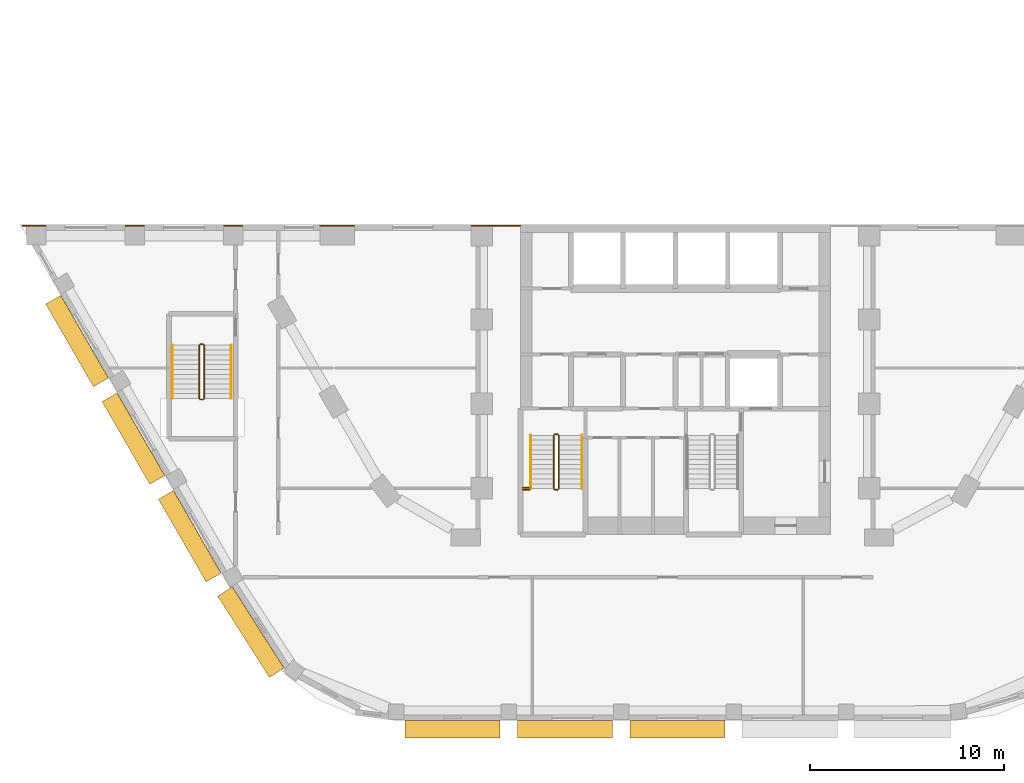
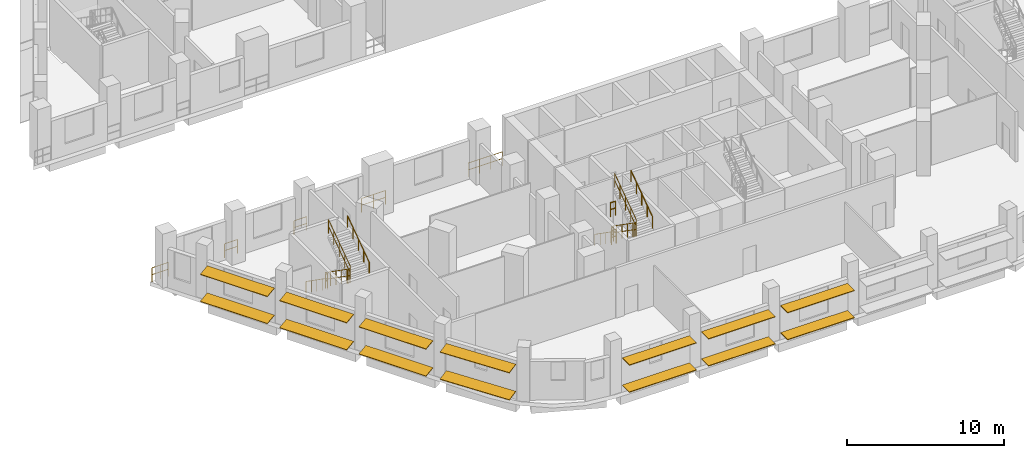
# One storey, part 38 of 47: 19 railings, 14 shading devices.
"""IFC4 building model written with IfcOpenShell, lengths in metres."""

import ifcopenshell
import ifcopenshell.guid

model = None  # the IFC model being written
_history = None  # IfcOwnerHistory: only IFC2X3 demands one
_inside = {}  # id of a spatial element -> (the spatial element, [elements in it])
_under = {}  # id of a project, library or spatial element -> (it, [spatial elements below it])
_declared = {}  # id of a project -> (the project, [libraries it declares])
_typed = {}  # id of a type object -> (the type object, [elements of that type])
_made_of = {}  # id of a material, layer set ... -> (it, [elements and type objects made of it])


def new_model(schema):
    """Start an empty IFC model of exactly this schema.

    Asked for "IFC4X3", IfcOpenShell would pick the latest addendum, in which some entities
    have other attributes; the version numbers below select the first issue.
    IFC2X3 requires an IfcOwnerHistory on every rooted entity: one is made here for all.
    """
    global model, _history
    if schema == "IFC4X3":
        model = ifcopenshell.file(schema_version=(4, 3, 0, 0))
    else:
        model = ifcopenshell.file(schema=schema)
    _inside.clear()
    _under.clear()
    _declared.clear()
    _typed.clear()
    _made_of.clear()
    _history = None
    if model.schema == "IFC2X3":
        org = make("IfcOrganization", Name="unknown")
        user = make(
            "IfcPersonAndOrganization",
            ThePerson=make("IfcPerson", FamilyName="unknown"),
            TheOrganization=org,
        )
        app = make(
            "IfcApplication",
            ApplicationDeveloper=org,
            Version="unknown",
            ApplicationFullName="unknown",
            ApplicationIdentifier="unknown",
        )
        _history = make(
            "IfcOwnerHistory",
            OwningUser=user,
            OwningApplication=app,
            ChangeAction="ADDED",
            CreationDate=0,
        )
    return model


def make(cls, **values):
    """One entity of the class cls with the attributes given. An attribute that is None is left unset."""
    return model.create_entity(
        cls, **{name: value for name, value in values.items() if value is not None}
    )


def rooted(cls, **values):
    """An entity with a GlobalId (a new one), such as an element, a storey or a relation."""
    return make(cls, GlobalId=ifcopenshell.guid.new(), OwnerHistory=_history, **values)


def si_unit(unit_type, name, prefix=None):
    """IfcSIUnit, for example si_unit("LENGTHUNIT", "METRE", prefix="MILLI")."""
    return make("IfcSIUnit", UnitType=unit_type, Prefix=prefix, Name=name)


def assignment(units):
    """IfcUnitAssignment: the units of a project."""
    return None if units is None else make("IfcUnitAssignment", Units=units)


def point(xyz):
    """IfcCartesianPoint."""
    return None if xyz is None else make("IfcCartesianPoint", Coordinates=xyz)


def direction(xyz):
    """IfcDirection."""
    return None if xyz is None else make("IfcDirection", DirectionRatios=xyz)


def frame(location, z_axis=None, x_axis=None):
    """IfcAxis2Placement3D, a coordinate frame: its origin and axes. An axis left out is left unset."""
    return make(
        "IfcAxis2Placement3D",
        Location=point(location),
        Axis=direction(z_axis),
        RefDirection=direction(x_axis),
    )


def frame_2d(location, x_axis=None):
    """IfcAxis2Placement2D, a coordinate frame in the plane: its origin and x axis."""
    return make(
        "IfcAxis2Placement2D", Location=point(location), RefDirection=direction(x_axis)
    )


def origin():
    """The frame at (0, 0, 0) with its axes left unset."""
    return frame((0.0, 0.0, 0.0))


def origin_2d():
    """The frame at (0, 0) in the plane with its x axis left unset."""
    return frame_2d((0.0, 0.0))


def place(relative_to, where):
    """IfcLocalPlacement: puts the frame where relative to a parent placement (None: the world)."""
    return make(
        "IfcLocalPlacement", PlacementRelTo=relative_to, RelativePlacement=where
    )


def context(
    kind, dimensions, precision=None, world=None, true_north=None, identifier=None
):
    """IfcGeometricRepresentationContext, for example the 3D "Model" context."""
    return make(
        "IfcGeometricRepresentationContext",
        ContextIdentifier=identifier,
        ContextType=kind,
        CoordinateSpaceDimension=dimensions,
        Precision=precision,
        WorldCoordinateSystem=world,
        TrueNorth=true_north,
    )


def subcontext(parent, identifier, kind, view, scale=None):
    """IfcGeometricRepresentationSubContext, for example "Body" below "Model"."""
    return make(
        "IfcGeometricRepresentationSubContext",
        ContextIdentifier=identifier,
        ContextType=kind,
        ParentContext=parent,
        TargetScale=scale,
        TargetView=view,
    )


def project(units=None, contexts=None):
    """IfcProject with its units and contexts."""
    return rooted(
        "IfcProject",
        Name="project",
        RepresentationContexts=contexts,
        UnitsInContext=assignment(units),
    )


def spatial(cls, under=None, at=None, **own):
    """A site, building, storey or space (cls), placed at a placement, below another one or the project."""
    s = rooted(cls, ObjectPlacement=at, **own)
    if under is not None:
        _under.setdefault(under.id(), (under, []))[1].append(s)
    return s


def profile(cls, at=None, kind="AREA", **sizes):
    """A parametric profile (cls). Its sizes go by their IFC names, for example OverallWidth=200.0."""
    return make(cls, ProfileType=kind, Position=at, **sizes)


def rectangle(**sizes):
    """IfcRectangleProfileDef."""
    return profile("IfcRectangleProfileDef", **sizes)


def circle(**sizes):
    """IfcCircleProfileDef."""
    return profile("IfcCircleProfileDef", **sizes)


def extrude(swept, where, along, depth):
    """IfcExtrudedAreaSolid: the profile swept, set in the frame where, extruded along a direction by depth."""
    return make(
        "IfcExtrudedAreaSolid",
        SweptArea=swept,
        Position=where,
        ExtrudedDirection=direction(along),
        Depth=depth,
    )


def shape(context_of_items, identifier, shape_type, items):
    """IfcShapeRepresentation: the items that make up one representation, for example the "Body"."""
    return make(
        "IfcShapeRepresentation",
        ContextOfItems=context_of_items,
        RepresentationIdentifier=identifier,
        RepresentationType=shape_type,
        Items=items,
    )


def material(Name=None, Category=None):
    """IfcMaterial."""
    return make("IfcMaterial", Name=Name, Category=Category)


def material_profile(
    of_material, cross_section, Name=None, Category=None, Priority=None
):
    """IfcMaterialProfile: a cross section and its material."""
    return make(
        "IfcMaterialProfile",
        Name=Name,
        Material=of_material,
        Profile=cross_section,
        Priority=Priority,
        Category=Category,
    )


def profile_set(profiles, Name=None, composite=None):
    """IfcMaterialProfileSet."""
    return make(
        "IfcMaterialProfileSet",
        Name=Name,
        MaterialProfiles=profiles,
        CompositeProfile=composite,
    )


def made_of(thing, what):
    """Note that an element or type object is made of a material, layer set ...; save() writes the relation."""
    if what is not None:
        _made_of.setdefault(what.id(), (what, []))[1].append(thing)
    return thing


def type_object(cls, material=None, **own):
    """A type object (cls), such as IfcWallType, which elements share."""
    return made_of(rooted(cls, **own), material)


def element(
    cls,
    number,
    at=None,
    inside=None,
    cuts=None,
    type_object=None,
    material=None,
    context=None,
    identifier="Body",
    shape_type=None,
    held_by="IfcProductDefinitionShape",
    body=None,
    shapes=None,
    **own,
):
    """One element of the class cls, such as IfcWall. Its Tag is "e" and its number.

    at: its placement. inside: the storey or other place that contains it. cuts: it is an
    opening in that element (IfcRelVoidsElement). A single representation is given by context,
    identifier, shape_type and body (its items); several are given by shapes. held_by: the class
    of the entity that holds the representations. save() writes the other relations.
    """
    e = rooted(cls, Tag="e%d" % number, ObjectPlacement=at, **own)
    if body is not None:
        shapes = [shape(context, identifier, shape_type, body)]
    if shapes is not None:
        e.Representation = make(held_by, Representations=shapes)
    if inside is not None:
        _inside.setdefault(inside.id(), (inside, []))[1].append(e)
    if cuts is not None:
        rooted(
            "IfcRelVoidsElement", RelatingBuildingElement=cuts, RelatedOpeningElement=e
        )
    if type_object is not None:
        _typed.setdefault(type_object.id(), (type_object, []))[1].append(e)
    return made_of(e, material)


def aggregate(whole, parts):
    """IfcRelAggregates: a whole, such as a stair, and the parts it consists of."""
    return rooted("IfcRelAggregates", RelatingObject=whole, RelatedObjects=parts)


def save(model, path):
    """Write the relations noted so far, then the file.

    IfcRelAggregates (storeys below a building ...), IfcRelContainedInSpatialStructure (elements
    in a storey), IfcRelDefinesByType, IfcRelAssociatesMaterial and IfcRelDeclares: one each for
    every whole, place, type object, material and project.
    """
    for whole, parts in _under.values():
        aggregate(whole, parts)
    for where, things in _inside.values():
        rooted(
            "IfcRelContainedInSpatialStructure",
            RelatedElements=things,
            RelatingStructure=where,
        )
    for kind, things in _typed.values():
        rooted("IfcRelDefinesByType", RelatedObjects=things, RelatingType=kind)
    for what, things in _made_of.values():
        rooted("IfcRelAssociatesMaterial", RelatedObjects=things, RelatingMaterial=what)
    for by, libraries in _declared.values():
        rooted("IfcRelDeclares", RelatingContext=by, RelatedDefinitions=libraries)
    model.write(path)


model = new_model("IFC4")

# Units and contexts
model_context = context("Model", 3, precision=1e-05, world=origin(), true_north=direction((0.0, 1.0)))
body_context = subcontext(model_context, "Body", "Model", "MODEL_VIEW")
ifc_project = project(units=[si_unit("LENGTHUNIT", "METRE"), si_unit("AREAUNIT", "SQUARE_METRE"), si_unit("VOLUMEUNIT", "CUBIC_METRE"), si_unit("PLANEANGLEUNIT", "RADIAN"), si_unit("MASSUNIT", "GRAM", prefix="KILO")], contexts=[model_context])

# Site, building, storey
site_placement = place(None, origin())
site = spatial("IfcSite", under=ifc_project, at=site_placement, CompositionType="ELEMENT")
building_placement = place(site_placement, origin())
building = spatial("IfcBuilding", under=site, at=building_placement, Name="Nakaniwa Court", CompositionType="ELEMENT")
storey_placement = place(building_placement, frame((0.0, 0.0, 15.60009765625)))
storey = spatial("IfcBuildingStorey", under=building, at=storey_placement, Name="L03", CompositionType="ELEMENT", Elevation=15.60009765625)

# Shading devices
ifc_material_1 = material(Name="Perforated charcoal ceramic louvre blade")
ifc_material_profile = material_profile(ifc_material_1, rectangle(XDim=0.89990234375, YDim=0.050048828125, at=origin_2d()), Name="Perforated ceramic louvre blade")
ifc_profile_set = profile_set([ifc_material_profile], Name="Perforated charcoal ceramic louvre blade")
shading_device_type = type_object("IfcShadingDeviceType", Name="Perforated ceramic louvre blade", PredefinedType="JALOUSIE", material=ifc_profile_set)
for number, where, z_axis, x_axis, name in (
    (1, (47.884765625, 68.726318359375, 0.5498046875), (0.499988503985, -0.86603204091, 0.0), (0.858623016745, 0.495711033022, 0.13052619222), "L03 perforated ceramic louvre blade w13 1"),
    (2, (47.884765625, 68.726318359375, 2.64990234375), (0.499988503985, -0.86603204091, 0.0), (0.858623016745, 0.495711033022, 0.13052619222), "L03 perforated ceramic louvre blade w13 2"),
    (3, (50.793212890625, 63.68896484375, 0.5498046875), (0.499988503985, -0.86603204091, 0.0), (0.858623016745, 0.495711033022, 0.13052619222), "L03 perforated ceramic louvre blade w14 1"),
    (4, (50.793212890625, 63.68896484375, 2.64990234375), (0.499988503985, -0.86603204091, 0.0), (0.858623016745, 0.495711033022, 0.13052619222), "L03 perforated ceramic louvre blade w14 2"),
    (5, (53.701416015625, 58.651611328125, 0.5498046875), (0.499988503985, -0.86603204091, 0.0), (0.858623016745, 0.495711033022, 0.13052619222), "L03 perforated ceramic louvre blade w15 1"),
    (6, (53.701416015625, 58.651611328125, 2.64990234375), (0.499988503985, -0.86603204091, 0.0), (0.858623016745, 0.495711033022, 0.13052619222), "L03 perforated ceramic louvre blade w15 2"),
):
    element("IfcShadingDevice", number, at=place(storey_placement, frame(where, z_axis=z_axis, x_axis=x_axis)), inside=storey, type_object=shading_device_type, Name=name, PredefinedType="JALOUSIE", context=body_context, shape_type="SweptSolid", body=[
        extrude(rectangle(XDim=0.89990234375, YDim=0.050048828125, at=origin_2d()), origin(), (0.0, 0.0, 1.0), 4.9248046875),
    ])
for number, where, z_axis, x_axis, name in (
    (7, (56.75048828125, 53.664794921875, 0.5498046875), (0.537237750098, -0.843430850675, 0.0), (0.837322169417, 0.533346720771, 0.120136838835), "L03 perforated ceramic louvre blade w16 1"),
    (8, (56.75048828125, 53.664794921875, 2.64990234375), (0.537237750098, -0.843430850675, 0.0), (0.837322169417, 0.533346720771, 0.120136838835), "L03 perforated ceramic louvre blade w16 2"),
):
    element("IfcShadingDevice", number, at=place(storey_placement, frame(where, z_axis=z_axis, x_axis=x_axis)), inside=storey, type_object=shading_device_type, Name=name, PredefinedType="JALOUSIE", context=body_context, shape_type="SweptSolid", body=[
        extrude(rectangle(XDim=0.89990234375, YDim=0.050048828125, at=origin_2d()), origin(), (0.0, 0.0, 1.0), 4.970703125),
    ])
for number, where, z_axis, x_axis, name in (
    (9, (66.041748046875, 46.550048828125, 0.5498046875), (1.0, 0.0, 0.0), (0.0, 1.0, 0.0), "L03 perforated ceramic louvre blade w19 1"),
    (10, (66.041748046875, 46.550048828125, 2.64990234375), (1.0, 0.0, 0.0), (0.0, 1.0, 0.0), "L03 perforated ceramic louvre blade w19 2"),
):
    element("IfcShadingDevice", number, at=place(storey_placement, frame(where, z_axis=z_axis, x_axis=x_axis)), inside=storey, type_object=shading_device_type, Name=name, PredefinedType="JALOUSIE", context=body_context, shape_type="SweptSolid", body=[
        extrude(rectangle(XDim=0.89990234375, YDim=0.050048828125, at=origin_2d()), origin(), (0.0, 0.0, 1.0), 4.91015625),
    ])
for number, where, z_axis, x_axis, name in (
    (11, (71.843994140625, 46.550048828125, 0.5498046875), (1.0, 0.0, 0.0), (0.0, 1.0, 0.0), "L03 perforated ceramic louvre blade w20 1"),
    (12, (71.843994140625, 46.550048828125, 2.64990234375), (1.0, 0.0, 0.0), (0.0, 1.0, 0.0), "L03 perforated ceramic louvre blade w20 2"),
):
    element("IfcShadingDevice", number, at=place(storey_placement, frame(where, z_axis=z_axis, x_axis=x_axis)), inside=storey, type_object=shading_device_type, Name=name, PredefinedType="JALOUSIE", context=body_context, shape_type="SweptSolid", body=[
        extrude(rectangle(XDim=0.89990234375, YDim=0.050048828125, at=origin_2d()), origin(), (0.0, 0.0, 1.0), 4.910400390625),
    ])
for number, where, z_axis, x_axis, name in (
    (13, (77.646240234375, 46.550048828125, 0.5498046875), (1.0, 0.0, 0.0), (0.0, 1.0, 0.0), "L03 perforated ceramic louvre blade w21 1"),
    (14, (77.646240234375, 46.550048828125, 2.64990234375), (1.0, 0.0, 0.0), (0.0, 1.0, 0.0), "L03 perforated ceramic louvre blade w21 2"),
):
    element("IfcShadingDevice", number, at=place(storey_placement, frame(where, z_axis=z_axis, x_axis=x_axis)), inside=storey, type_object=shading_device_type, Name=name, PredefinedType="JALOUSIE", context=body_context, shape_type="SweptSolid", body=[
        extrude(rectangle(XDim=0.89990234375, YDim=0.050048828125, at=origin_2d()), origin(), (0.0, 0.0, 1.0), 4.91015625),
    ])

# Railings
ifc_material_2 = material(Name="Black powder coated steel guard", Category="steel")
railing_type_1 = type_object("IfcRailingType", Name="Stair guard 1100", PredefinedType="GUARDRAIL", material=ifc_material_2)
railing_1_placement = place(storey_placement, frame((73.72509765625, 61.72509765625, 0.1748046875)))
element("IfcRailing", 15, at=railing_1_placement, inside=storey, type_object=railing_type_1, Name="L03 ST3 stair guard 1", PredefinedType="GUARDRAIL", context=body_context, shape_type="SweptSolid", body=[
    extrude(circle(Radius=0.02392578125, at=origin_2d()), frame((0.0, 0.0, 1.076171875), z_axis=(0.0, -0.819225086817, 0.573472106672), x_axis=(1.0, 0.0, 0.0)), (0.0, 0.0, 1.0), 3.35693359375),
    extrude(circle(Radius=0.02392578125, at=origin_2d()), frame((0.0, 0.0, 0.550048828125), z_axis=(0.0, -0.819225086817, 0.573472106672), x_axis=(1.0, 0.0, 0.0)), (0.0, 0.0, 1.0), 3.35693359375),
    extrude(circle(Radius=0.02099609375, at=origin_2d()), origin(), (0.0, 0.0, 1.0), 1.052001953125),
    extrude(circle(Radius=0.02099609375, at=origin_2d()), frame((0.0, -0.6875, 0.481201171875)), (0.0, 0.0, 1.0), 1.052001953125),
    extrude(circle(Radius=0.02099609375, at=origin_2d()), frame((0.0, -1.375, 0.96240234375)), (0.0, 0.0, 1.0), 1.052001953125),
    extrude(circle(Radius=0.02099609375, at=origin_2d()), frame((0.0, -2.0625, 1.44384765625)), (0.0, 0.0, 1.0), 1.052001953125),
    extrude(circle(Radius=0.02099609375, at=origin_2d()), frame((0.0, -2.75, 1.925048828125)), (0.0, 0.0, 1.0), 1.052001953125),
])
railing_2_placement = place(storey_placement, frame((73.77490234375, 58.925048828125, 2.099853515625)))
element("IfcRailing", 16, at=railing_2_placement, inside=storey, type_object=railing_type_1, Name="L03 ST3 stair guard 2", PredefinedType="GUARDRAIL", context=body_context, shape_type="SweptSolid", body=[
    extrude(circle(Radius=0.02392578125, at=origin_2d()), frame((0.0, 0.0, 1.076171875), z_axis=(1.0, 0.0, 0.0), x_axis=(0.0, 1.0, 0.0)), (0.0, 0.0, 1.0), 0.150146484375),
    extrude(circle(Radius=0.02392578125, at=origin_2d()), frame((0.0, 0.0, 0.550048828125), z_axis=(1.0, 0.0, 0.0), x_axis=(0.0, 1.0, 0.0)), (0.0, 0.0, 1.0), 0.150146484375),
    extrude(circle(Radius=0.02099609375, at=origin_2d()), origin(), (0.0, 0.0, 1.0), 1.052001953125),
    extrude(circle(Radius=0.02099609375, at=origin_2d()), frame((0.150146484375, 0.0, 0.0)), (0.0, 0.0, 1.0), 1.052001953125),
])
railing_3_placement = place(storey_placement, frame((73.97509765625, 58.97509765625, 2.27490234375)))
element("IfcRailing", 17, at=railing_3_placement, inside=storey, type_object=railing_type_1, Name="L03 ST3 stair guard 3", PredefinedType="GUARDRAIL", context=body_context, shape_type="SweptSolid", body=[
    extrude(circle(Radius=0.02392578125, at=origin_2d()), frame((0.0, 0.0, 1.076171875), z_axis=(0.0, 0.819225086817, 0.573472106672), x_axis=(-1.0, 0.0, 0.0)), (0.0, 0.0, 1.0), 3.35693359375),
    extrude(circle(Radius=0.02392578125, at=origin_2d()), frame((0.0, 0.0, 0.550048828125), z_axis=(0.0, 0.819225086817, 0.573472106672), x_axis=(-1.0, 0.0, 0.0)), (0.0, 0.0, 1.0), 3.35693359375),
    extrude(circle(Radius=0.02099609375, at=origin_2d()), origin(), (0.0, 0.0, 1.0), 1.052001953125),
    extrude(circle(Radius=0.02099609375, at=origin_2d()), frame((0.0, 0.6875, 0.481201171875)), (0.0, 0.0, 1.0), 1.052001953125),
    extrude(circle(Radius=0.02099609375, at=origin_2d()), frame((0.0, 1.375, 0.96240234375)), (0.0, 0.0, 1.0), 1.052001953125),
    extrude(circle(Radius=0.02099609375, at=origin_2d()), frame((0.0, 2.0625, 1.44384765625)), (0.0, 0.0, 1.0), 1.052001953125),
    extrude(circle(Radius=0.02099609375, at=origin_2d()), frame((0.0, 2.75, 1.925048828125)), (0.0, 0.0, 1.0), 1.052001953125),
])
railing_4_placement = place(storey_placement, frame((73.77490234375, 61.77490234375, 0.0)))
element("IfcRailing", 18, at=railing_4_placement, inside=storey, type_object=railing_type_1, Name="L03 ST3 stair guard 4", PredefinedType="GUARDRAIL", context=body_context, shape_type="SweptSolid", body=[
    extrude(circle(Radius=0.02392578125, at=origin_2d()), frame((0.0, 0.0, 1.076171875), z_axis=(1.0, 0.0, 0.0), x_axis=(0.0, 1.0, 0.0)), (0.0, 0.0, 1.0), 0.150146484375),
    extrude(circle(Radius=0.02392578125, at=origin_2d()), frame((0.0, 0.0, 0.550048828125), z_axis=(1.0, 0.0, 0.0), x_axis=(0.0, 1.0, 0.0)), (0.0, 0.0, 1.0), 0.150146484375),
    extrude(circle(Radius=0.02099609375, at=origin_2d()), origin(), (0.0, 0.0, 1.0), 1.052001953125),
    extrude(circle(Radius=0.02099609375, at=origin_2d()), frame((0.150146484375, 0.0, 0.0)), (0.0, 0.0, 1.0), 1.052001953125),
])
for number, where, name in (
    (19, (72.125, 58.925048828125, 2.099853515625), "L03 ST3 landing side guard 1W"),
    (20, (72.125, 59.02490234375, 4.199951171875), "L03 ST3 floor edge guard 1W"),
):
    element("IfcRailing", number, at=place(storey_placement, frame(where)), inside=storey, type_object=railing_type_1, Name=name, PredefinedType="GUARDRAIL", context=body_context, shape_type="SweptSolid", body=[
        extrude(circle(Radius=0.02392578125, at=origin_2d()), frame((0.0, 0.0, 1.076171875), z_axis=(1.0, 0.0, 0.0), x_axis=(0.0, 1.0, 0.0)), (0.0, 0.0, 1.0), 0.35009765625),
        extrude(circle(Radius=0.02392578125, at=origin_2d()), frame((0.0, 0.0, 0.550048828125), z_axis=(1.0, 0.0, 0.0), x_axis=(0.0, 1.0, 0.0)), (0.0, 0.0, 1.0), 0.35009765625),
        extrude(circle(Radius=0.02099609375, at=origin_2d()), origin(), (0.0, 0.0, 1.0), 1.052001953125),
        extrude(circle(Radius=0.02099609375, at=origin_2d()), frame((0.35009765625, 0.0, 0.0)), (0.0, 0.0, 1.0), 1.052001953125),
    ])
railing_5_placement = place(storey_placement, frame((55.425048828125, 66.375, 0.1748046875)))
element("IfcRailing", 21, at=railing_5_placement, inside=storey, type_object=railing_type_1, Name="L03 SS4 stair guard 1", PredefinedType="GUARDRAIL", context=body_context, shape_type="SweptSolid", body=[
    extrude(circle(Radius=0.02392578125, at=origin_2d()), frame((0.0, 0.0, 1.076171875), z_axis=(0.0, -0.819225086817, 0.573472106672), x_axis=(1.0, 0.0, 0.0)), (0.0, 0.0, 1.0), 3.35693359375),
    extrude(circle(Radius=0.02392578125, at=origin_2d()), frame((0.0, 0.0, 0.550048828125), z_axis=(0.0, -0.819225086817, 0.573472106672), x_axis=(1.0, 0.0, 0.0)), (0.0, 0.0, 1.0), 3.35693359375),
    extrude(circle(Radius=0.02099609375, at=origin_2d()), origin(), (0.0, 0.0, 1.0), 1.052001953125),
    extrude(circle(Radius=0.02099609375, at=origin_2d()), frame((0.0, -0.6875, 0.481201171875)), (0.0, 0.0, 1.0), 1.052001953125),
    extrude(circle(Radius=0.02099609375, at=origin_2d()), frame((0.0, -1.375, 0.96240234375)), (0.0, 0.0, 1.0), 1.052001953125),
    extrude(circle(Radius=0.02099609375, at=origin_2d()), frame((0.0, -2.0625, 1.44384765625)), (0.0, 0.0, 1.0), 1.052001953125),
    extrude(circle(Radius=0.02099609375, at=origin_2d()), frame((0.0, -2.75, 1.925048828125)), (0.0, 0.0, 1.0), 1.052001953125),
])
railing_6_placement = place(storey_placement, frame((55.47509765625, 63.574951171875, 2.099853515625)))
element("IfcRailing", 22, at=railing_6_placement, inside=storey, type_object=railing_type_1, Name="L03 SS4 stair guard 2", PredefinedType="GUARDRAIL", context=body_context, shape_type="SweptSolid", body=[
    extrude(circle(Radius=0.02392578125, at=origin_2d()), frame((0.0, 0.0, 1.076171875), z_axis=(1.0, 0.0, 0.0), x_axis=(0.0, 1.0, 0.0)), (0.0, 0.0, 1.0), 0.14990234375),
    extrude(circle(Radius=0.02392578125, at=origin_2d()), frame((0.0, 0.0, 0.550048828125), z_axis=(1.0, 0.0, 0.0), x_axis=(0.0, 1.0, 0.0)), (0.0, 0.0, 1.0), 0.14990234375),
    extrude(circle(Radius=0.02099609375, at=origin_2d()), origin(), (0.0, 0.0, 1.0), 1.052001953125),
    extrude(circle(Radius=0.02099609375, at=origin_2d()), frame((0.14990234375, 0.0, 0.0)), (0.0, 0.0, 1.0), 1.052001953125),
])
railing_7_placement = place(storey_placement, frame((55.675048828125, 63.625, 2.27490234375)))
element("IfcRailing", 23, at=railing_7_placement, inside=storey, type_object=railing_type_1, Name="L03 SS4 stair guard 3", PredefinedType="GUARDRAIL", context=body_context, shape_type="SweptSolid", body=[
    extrude(circle(Radius=0.02392578125, at=origin_2d()), frame((0.0, 0.0, 1.076171875), z_axis=(0.0, 0.819225086817, 0.573472106672), x_axis=(-1.0, 0.0, 0.0)), (0.0, 0.0, 1.0), 3.35693359375),
    extrude(circle(Radius=0.02392578125, at=origin_2d()), frame((0.0, 0.0, 0.550048828125), z_axis=(0.0, 0.819225086817, 0.573472106672), x_axis=(-1.0, 0.0, 0.0)), (0.0, 0.0, 1.0), 3.35693359375),
    extrude(circle(Radius=0.02099609375, at=origin_2d()), origin(), (0.0, 0.0, 1.0), 1.052001953125),
    extrude(circle(Radius=0.02099609375, at=origin_2d()), frame((0.0, 0.6875, 0.481201171875)), (0.0, 0.0, 1.0), 1.052001953125),
    extrude(circle(Radius=0.02099609375, at=origin_2d()), frame((0.0, 1.375, 0.96240234375)), (0.0, 0.0, 1.0), 1.052001953125),
    extrude(circle(Radius=0.02099609375, at=origin_2d()), frame((0.0, 2.0625, 1.44384765625)), (0.0, 0.0, 1.0), 1.052001953125),
    extrude(circle(Radius=0.02099609375, at=origin_2d()), frame((0.0, 2.75, 1.925048828125)), (0.0, 0.0, 1.0), 1.052001953125),
])
railing_8_placement = place(storey_placement, frame((55.47509765625, 66.425048828125, 0.0)))
element("IfcRailing", 24, at=railing_8_placement, inside=storey, type_object=railing_type_1, Name="L03 SS4 stair guard 4", PredefinedType="GUARDRAIL", context=body_context, shape_type="SweptSolid", body=[
    extrude(circle(Radius=0.02392578125, at=origin_2d()), frame((0.0, 0.0, 1.076171875), z_axis=(1.0, 0.0, 0.0), x_axis=(0.0, 1.0, 0.0)), (0.0, 0.0, 1.0), 0.14990234375),
    extrude(circle(Radius=0.02392578125, at=origin_2d()), frame((0.0, 0.0, 0.550048828125), z_axis=(1.0, 0.0, 0.0), x_axis=(0.0, 1.0, 0.0)), (0.0, 0.0, 1.0), 0.14990234375),
    extrude(circle(Radius=0.02099609375, at=origin_2d()), origin(), (0.0, 0.0, 1.0), 1.052001953125),
    extrude(circle(Radius=0.02099609375, at=origin_2d()), frame((0.14990234375, 0.0, 0.0)), (0.0, 0.0, 1.0), 1.052001953125),
])
railing_9_placement = place(storey_placement, frame((46.297119140625, 72.550048828125, 0.0)))
element("IfcRailing", 25, at=railing_9_placement, inside=storey, type_object=railing_type_1, Name="GUARD GD-L03-041", PredefinedType="GUARDRAIL", context=body_context, shape_type="SweptSolid", body=[
    extrude(circle(Radius=0.02392578125, at=origin_2d()), frame((0.0, 0.0, 1.076171875), z_axis=(1.0, 0.0, 0.0), x_axis=(0.0, 1.0, 0.0)), (0.0, 0.0, 1.0), 1.18896484375),
    extrude(circle(Radius=0.02392578125, at=origin_2d()), frame((0.0, 0.0, 0.550048828125), z_axis=(1.0, 0.0, 0.0), x_axis=(0.0, 1.0, 0.0)), (0.0, 0.0, 1.0), 1.18896484375),
    extrude(circle(Radius=0.02099609375, at=origin_2d()), origin(), (0.0, 0.0, 1.0), 1.052001953125),
    extrude(circle(Radius=0.02099609375, at=origin_2d()), frame((0.594482421875, 0.0, 0.0)), (0.0, 0.0, 1.0), 1.052001953125),
    extrude(circle(Radius=0.02099609375, at=origin_2d()), frame((1.18896484375, 0.0, 0.0)), (0.0, 0.0, 1.0), 1.052001953125),
])
railing_10_placement = place(storey_placement, frame((51.610107421875, 72.550048828125, 0.0)))
element("IfcRailing", 26, at=railing_10_placement, inside=storey, type_object=railing_type_1, Name="GUARD GD-L03-042", PredefinedType="GUARDRAIL", context=body_context, shape_type="SweptSolid", body=[
    extrude(circle(Radius=0.02392578125, at=origin_2d()), frame((0.0, 0.0, 1.076171875), z_axis=(1.0, 0.0, 0.0), x_axis=(0.0, 1.0, 0.0)), (0.0, 0.0, 1.0), 0.95947265625),
    extrude(circle(Radius=0.02392578125, at=origin_2d()), frame((0.0, 0.0, 0.550048828125), z_axis=(1.0, 0.0, 0.0), x_axis=(0.0, 1.0, 0.0)), (0.0, 0.0, 1.0), 0.95947265625),
    extrude(circle(Radius=0.02099609375, at=origin_2d()), origin(), (0.0, 0.0, 1.0), 1.052001953125),
    extrude(circle(Radius=0.02099609375, at=origin_2d()), frame((0.95947265625, 0.0, 0.0)), (0.0, 0.0, 1.0), 1.052001953125),
])
railing_11_placement = place(storey_placement, frame((56.703857421875, 72.550048828125, 0.0)))
element("IfcRailing", 27, at=railing_11_placement, inside=storey, type_object=railing_type_1, Name="GUARD GD-L03-043", PredefinedType="GUARDRAIL", context=body_context, shape_type="SweptSolid", body=[
    extrude(circle(Radius=0.02392578125, at=origin_2d()), frame((0.0, 0.0, 1.076171875), z_axis=(1.0, 0.0, 0.0), x_axis=(0.0, 1.0, 0.0)), (0.0, 0.0, 1.0), 0.939453125),
    extrude(circle(Radius=0.02392578125, at=origin_2d()), frame((0.0, 0.0, 0.550048828125), z_axis=(1.0, 0.0, 0.0), x_axis=(0.0, 1.0, 0.0)), (0.0, 0.0, 1.0), 0.939453125),
    extrude(circle(Radius=0.02099609375, at=origin_2d()), origin(), (0.0, 0.0, 1.0), 1.052001953125),
    extrude(circle(Radius=0.02099609375, at=origin_2d()), frame((0.939453125, 0.0, 0.0)), (0.0, 0.0, 1.0), 1.052001953125),
])
railing_12_placement = place(storey_placement, frame((61.65771484375, 72.550048828125, 0.0)))
element("IfcRailing", 28, at=railing_12_placement, inside=storey, type_object=railing_type_1, Name="GUARD GD-L03-044", PredefinedType="GUARDRAIL", context=body_context, shape_type="SweptSolid", body=[
    extrude(circle(Radius=0.02392578125, at=origin_2d()), frame((0.0, 0.0, 1.076171875), z_axis=(1.0, 0.0, 0.0), x_axis=(0.0, 1.0, 0.0)), (0.0, 0.0, 1.0), 1.768310546875),
    extrude(circle(Radius=0.02392578125, at=origin_2d()), frame((0.0, 0.0, 0.550048828125), z_axis=(1.0, 0.0, 0.0), x_axis=(0.0, 1.0, 0.0)), (0.0, 0.0, 1.0), 1.768310546875),
    extrude(circle(Radius=0.02099609375, at=origin_2d()), origin(), (0.0, 0.0, 1.0), 1.052001953125),
    extrude(circle(Radius=0.02099609375, at=origin_2d()), frame((0.88427734375, 0.0, 0.0)), (0.0, 0.0, 1.0), 1.052001953125),
    extrude(circle(Radius=0.02099609375, at=origin_2d()), frame((1.768310546875, 0.0, 0.0)), (0.0, 0.0, 1.0), 1.052001953125),
])
railing_13_placement = place(storey_placement, frame((69.47802734375, 72.550048828125, 0.0)))
element("IfcRailing", 29, at=railing_13_placement, inside=storey, type_object=railing_type_1, Name="GUARD GD-L03-045", PredefinedType="GUARDRAIL", context=body_context, shape_type="SweptSolid", body=[
    extrude(circle(Radius=0.02392578125, at=origin_2d()), frame((0.0, 0.0, 1.076171875), z_axis=(1.0, 0.0, 0.0), x_axis=(0.0, 1.0, 0.0)), (0.0, 0.0, 1.0), 2.507080078125),
    extrude(circle(Radius=0.02392578125, at=origin_2d()), frame((0.0, 0.0, 0.550048828125), z_axis=(1.0, 0.0, 0.0), x_axis=(0.0, 1.0, 0.0)), (0.0, 0.0, 1.0), 2.507080078125),
    extrude(circle(Radius=0.02099609375, at=origin_2d()), origin(), (0.0, 0.0, 1.0), 1.052001953125),
    extrude(circle(Radius=0.02099609375, at=origin_2d()), frame((0.835693359375, 0.0, 0.0)), (0.0, 0.0, 1.0), 1.052001953125),
    extrude(circle(Radius=0.02099609375, at=origin_2d()), frame((1.67138671875, 0.0, 0.0)), (0.0, 0.0, 1.0), 1.052001953125),
    extrude(circle(Radius=0.02099609375, at=origin_2d()), frame((2.507080078125, 0.0, 0.0)), (0.0, 0.0, 1.0), 1.052001953125),
])
ifc_material_3 = material(Name="Black powder coated steel handrail", Category="steel")
railing_type_2 = type_object("IfcRailingType", Name="Stair handrail 900", PredefinedType="HANDRAIL", material=ifc_material_3)
railing_14_placement = place(storey_placement, frame((72.52490234375, 61.72509765625, 0.1748046875)))
element("IfcRailing", 30, at=railing_14_placement, inside=storey, type_object=railing_type_2, Name="L03 ST3 stair handrail 1", PredefinedType="HANDRAIL", context=body_context, shape_type="SweptSolid", body=[
    extrude(circle(Radius=0.02392578125, at=origin_2d()), frame((0.0, 0.0, 0.8759765625), z_axis=(0.0, -0.819225086817, 0.573472106672), x_axis=(1.0, 0.0, 0.0)), (0.0, 0.0, 1.0), 3.35693359375),
    extrude(circle(Radius=0.02099609375, at=origin_2d()), origin(), (0.0, 0.0, 1.0), 0.851806640625),
    extrude(circle(Radius=0.02099609375, at=origin_2d()), frame((0.0, -0.6875, 0.481201171875)), (0.0, 0.0, 1.0), 0.851806640625),
    extrude(circle(Radius=0.02099609375, at=origin_2d()), frame((0.0, -1.375, 0.96240234375)), (0.0, 0.0, 1.0), 0.851806640625),
    extrude(circle(Radius=0.02099609375, at=origin_2d()), frame((0.0, -2.0625, 1.44384765625)), (0.0, 0.0, 1.0), 0.851806640625),
    extrude(circle(Radius=0.02099609375, at=origin_2d()), frame((0.0, -2.75, 1.925048828125)), (0.0, 0.0, 1.0), 0.851806640625),
])
railing_15_placement = place(storey_placement, frame((75.175048828125, 58.97509765625, 2.27490234375)))
element("IfcRailing", 31, at=railing_15_placement, inside=storey, type_object=railing_type_2, Name="L03 ST3 stair handrail 2", PredefinedType="HANDRAIL", context=body_context, shape_type="SweptSolid", body=[
    extrude(circle(Radius=0.02392578125, at=origin_2d()), frame((0.0, 0.0, 0.8759765625), z_axis=(0.0, 0.819225086817, 0.573472106672), x_axis=(-1.0, 0.0, 0.0)), (0.0, 0.0, 1.0), 3.35693359375),
    extrude(circle(Radius=0.02099609375, at=origin_2d()), origin(), (0.0, 0.0, 1.0), 0.851806640625),
    extrude(circle(Radius=0.02099609375, at=origin_2d()), frame((0.0, 0.6875, 0.481201171875)), (0.0, 0.0, 1.0), 0.851806640625),
    extrude(circle(Radius=0.02099609375, at=origin_2d()), frame((0.0, 1.375, 0.96240234375)), (0.0, 0.0, 1.0), 0.851806640625),
    extrude(circle(Radius=0.02099609375, at=origin_2d()), frame((0.0, 2.0625, 1.44384765625)), (0.0, 0.0, 1.0), 0.851806640625),
    extrude(circle(Radius=0.02099609375, at=origin_2d()), frame((0.0, 2.75, 1.925048828125)), (0.0, 0.0, 1.0), 0.851806640625),
])
railing_16_placement = place(storey_placement, frame((54.02490234375, 66.375, 0.1748046875)))
element("IfcRailing", 32, at=railing_16_placement, inside=storey, type_object=railing_type_2, Name="L03 SS4 stair handrail 1", PredefinedType="HANDRAIL", context=body_context, shape_type="SweptSolid", body=[
    extrude(circle(Radius=0.02392578125, at=origin_2d()), frame((0.0, 0.0, 0.8759765625), z_axis=(0.0, -0.819225086817, 0.573472106672), x_axis=(1.0, 0.0, 0.0)), (0.0, 0.0, 1.0), 3.35693359375),
    extrude(circle(Radius=0.02099609375, at=origin_2d()), origin(), (0.0, 0.0, 1.0), 0.851806640625),
    extrude(circle(Radius=0.02099609375, at=origin_2d()), frame((0.0, -0.6875, 0.481201171875)), (0.0, 0.0, 1.0), 0.851806640625),
    extrude(circle(Radius=0.02099609375, at=origin_2d()), frame((0.0, -1.375, 0.96240234375)), (0.0, 0.0, 1.0), 0.851806640625),
    extrude(circle(Radius=0.02099609375, at=origin_2d()), frame((0.0, -2.0625, 1.44384765625)), (0.0, 0.0, 1.0), 0.851806640625),
    extrude(circle(Radius=0.02099609375, at=origin_2d()), frame((0.0, -2.75, 1.925048828125)), (0.0, 0.0, 1.0), 0.851806640625),
])
railing_17_placement = place(storey_placement, frame((57.074951171875, 63.625, 2.27490234375)))
element("IfcRailing", 33, at=railing_17_placement, inside=storey, type_object=railing_type_2, Name="L03 SS4 stair handrail 2", PredefinedType="HANDRAIL", context=body_context, shape_type="SweptSolid", body=[
    extrude(circle(Radius=0.02392578125, at=origin_2d()), frame((0.0, 0.0, 0.8759765625), z_axis=(0.0, 0.819225086817, 0.573472106672), x_axis=(-1.0, 0.0, 0.0)), (0.0, 0.0, 1.0), 3.35693359375),
    extrude(circle(Radius=0.02099609375, at=origin_2d()), origin(), (0.0, 0.0, 1.0), 0.851806640625),
    extrude(circle(Radius=0.02099609375, at=origin_2d()), frame((0.0, 0.6875, 0.481201171875)), (0.0, 0.0, 1.0), 0.851806640625),
    extrude(circle(Radius=0.02099609375, at=origin_2d()), frame((0.0, 1.375, 0.96240234375)), (0.0, 0.0, 1.0), 0.851806640625),
    extrude(circle(Radius=0.02099609375, at=origin_2d()), frame((0.0, 2.0625, 1.44384765625)), (0.0, 0.0, 1.0), 0.851806640625),
    extrude(circle(Radius=0.02099609375, at=origin_2d()), frame((0.0, 2.75, 1.925048828125)), (0.0, 0.0, 1.0), 0.851806640625),
])

save(model, "model.ifc")
